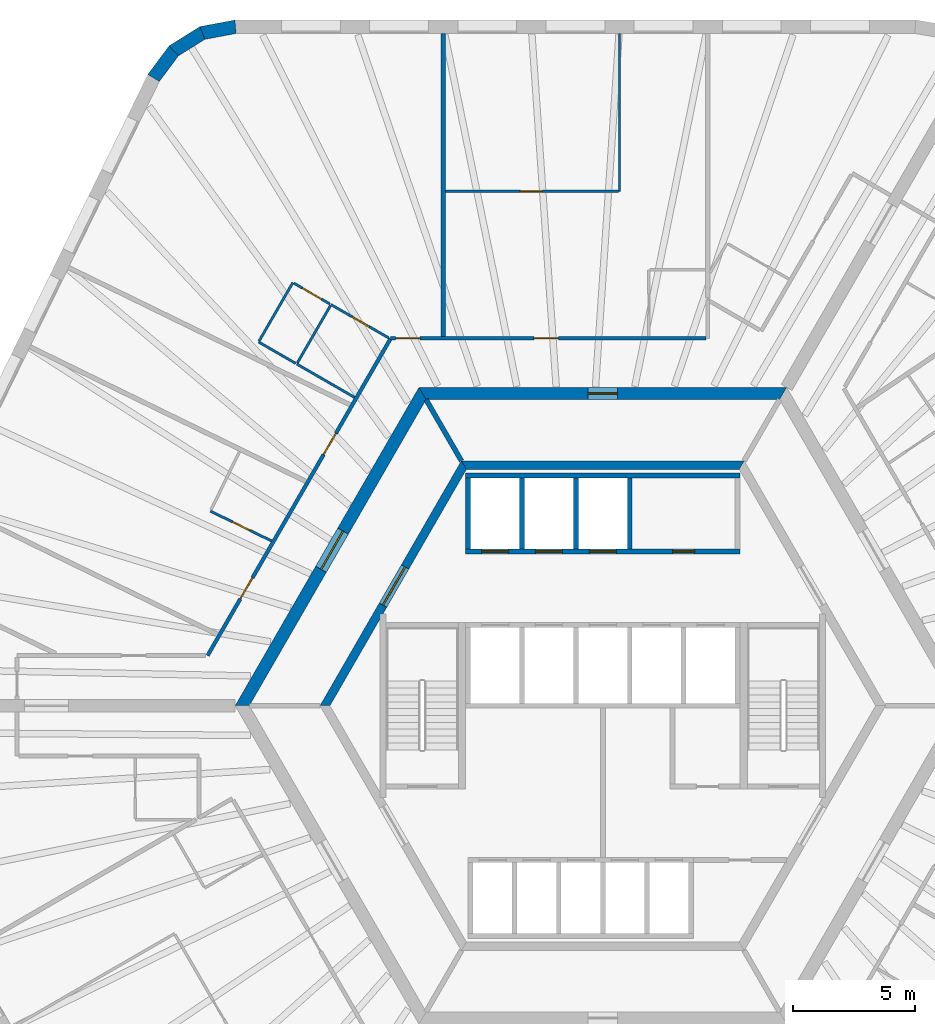
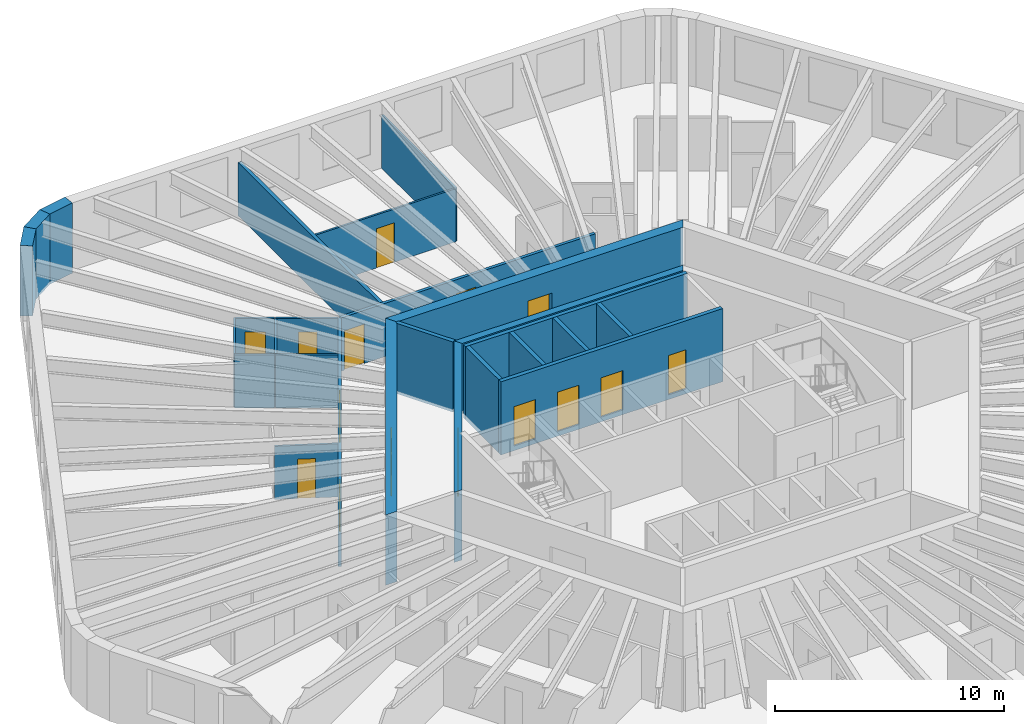
# One storey, part 7 of 10: 26 walls, 15 doors, 15 openings.
"""IFC4 building model written with IfcOpenShell, lengths in metres."""

from ifc_helpers import new_model, si_unit, direction, frame, frame_2d, origin, place, context, subcontext, project, spatial, polyline, rectangle, outline, extrude, material, layer, layer_set, type_object, element, fill, save


model = new_model("IFC4")

# Units and contexts
model_context = context("Model", 3, precision=1e-05, world=origin(), true_north=direction((0.0, 1.0)))
body_context = subcontext(model_context, "Body", "Model", "MODEL_VIEW")
ifc_project = project(units=[si_unit("LENGTHUNIT", "METRE"), si_unit("AREAUNIT", "SQUARE_METRE"), si_unit("VOLUMEUNIT", "CUBIC_METRE"), si_unit("PLANEANGLEUNIT", "RADIAN"), si_unit("MASSUNIT", "GRAM", prefix="KILO")], contexts=[model_context])

# Site, building, storey
site_placement = place(None, origin())
site = spatial("IfcSite", under=ifc_project, at=site_placement, CompositionType="ELEMENT")
building_placement = place(site_placement, origin())
building = spatial("IfcBuilding", under=site, at=building_placement, Name="Tarnside Tower", CompositionType="ELEMENT")
storey_placement = place(building_placement, frame((0.0, 0.0, 246.300048828125)))
storey = spatial("IfcBuildingStorey", under=building, at=storey_placement, Name="L59", CompositionType="ELEMENT", Elevation=246.300048828125)

# Wall
ifc_material_1 = material(Name="Gypsum board partition on steel studs", Category="steel")
ifc_layer_1 = layer(ifc_material_1, 0.10009765625)
ifc_layer_set_1 = layer_set([ifc_layer_1], Name="Bathroom wall 100")
wall_type_1 = type_object("IfcWallType", Name="Bathroom wall 100", PredefinedType="PARTITIONING", material=ifc_layer_set_1)
wall_1_placement = place(storey_placement, frame((-10.137939453125, 12.5908203125, 0.0), z_axis=(0.0, 0.0, 1.0), x_axis=(-0.866051307416, 0.49995513091, 0.0)))
element("IfcWall", 1, at=wall_1_placement, inside=storey, type_object=wall_type_1, Name="Bathroom wall 19062", PredefinedType="PARTITIONING", context=body_context, shape_type="SweptSolid", body=[
    extrude(rectangle(XDim=2.724853515625, YDim=0.10009765625, at=frame_2d((1.3623046875, 0.0))), origin(), (0.0, 0.0, 1.0), 2.837646484375),
])

# Wall, opening, door
wall_2_placement = place(storey_placement, frame((-11.09765625, 16.378173828125, 0.0), z_axis=(0.0, 0.0, 1.0), x_axis=(0.866012511928, -0.500022328685, 0.0)))
wall_2 = element("IfcWall", 2, at=wall_2_placement, inside=storey, type_object=wall_type_1, Name="Bathroom wall 19063", PredefinedType="PARTITIONING", context=body_context, shape_type="SweptSolid", body=[
    extrude(rectangle(XDim=2.72509765625, YDim=0.10009765625, at=frame_2d((1.362548828125, 0.0))), origin(), (0.0, 0.0, 1.0), 2.837646484375),
])
opening_1_placement = place(wall_2_placement, frame((1.0, 0.0, 0.0)))
opening_1 = element("IfcOpeningElement", 3, at=opening_1_placement, cuts=wall_2, Name="Opening D-B1", PredefinedType="OPENING", context=body_context, shape_type="SweptSolid", body=[
    extrude(rectangle(XDim=0.800048828125, YDim=2.10009765625, at=frame_2d((0.39990234375, 1.050048828125))), frame((0.0, 0.06005859375, 0.0), z_axis=(0.0, -1.0, 0.0), x_axis=(1.0, 0.0, 0.0)), (0.0, 0.0, 1.0), 0.1201171875),
])
ifc_material_2 = material(Name="Timber door leaf", Category="wood")
door_type_1 = type_object("IfcDoorType", Name="Bathroom door 800", OperationType="NOTDEFINED", PredefinedType="DOOR", material=ifc_material_2)
door_1_placement = place(opening_1_placement, origin())
door_1 = element("IfcDoor", 4, at=door_1_placement, inside=storey, type_object=door_type_1, Name="Bathroom door 19007", OperationType="SINGLE_SWING_LEFT", OverallHeight=2.10009765625, OverallWidth=0.800048828125, PredefinedType="DOOR", context=body_context, shape_type="SweptSolid", body=[
    extrude(rectangle(XDim=0.800048828125, YDim=2.10009765625, at=frame_2d((0.39990234375, 1.050048828125))), frame((0.0, 0.02490234375, 0.0), z_axis=(0.0, -1.0, 0.0), x_axis=(1.0, 0.0, 0.0)), (0.0, 0.0, 1.0), 0.050048828125),
])
fill(opening_1, door_1)

# Wall
wall_3_placement = place(storey_placement, frame((-11.122802734375, 16.334716796875, 0.0), z_axis=(0.0, 0.0, 1.0), x_axis=(-0.499980770555, -0.866036505625, 0.0)))
element("IfcWall", 5, at=wall_3_placement, inside=storey, type_object=wall_type_1, Name="Bathroom wall 19068", PredefinedType="PARTITIONING", context=body_context, shape_type="SweptSolid", body=[
    extrude(rectangle(XDim=2.69970703125, YDim=0.10009765625, at=frame_2d((1.349853515625, 0.0))), origin(), (0.0, 0.0, 1.0), 2.837646484375),
])

# Wall, opening, door
wall_4_placement = place(storey_placement, frame((-13.523193359375, 6.72705078125, 0.0), z_axis=(0.0, 0.0, 1.0), x_axis=(-0.89880809785, 0.438342335668, 0.0)))
wall_4 = element("IfcWall", 6, at=wall_4_placement, inside=storey, type_object=wall_type_1, Name="Bathroom wall 19071", PredefinedType="PARTITIONING", context=body_context, shape_type="SweptSolid", body=[
    extrude(rectangle(XDim=2.781005859375, YDim=0.10009765625, at=frame_2d((1.390625, 0.0))), origin(), (0.0, 0.0, 1.0), 2.837646484375),
])
opening_2_placement = place(wall_4_placement, frame((0.980712890625, 0.0, 0.0)))
opening_2 = element("IfcOpeningElement", 7, at=opening_2_placement, cuts=wall_4, Name="Opening D-B1", PredefinedType="OPENING", context=body_context, shape_type="SweptSolid", body=[
    extrude(rectangle(XDim=0.800048828125, YDim=2.10009765625, at=frame_2d((0.39990234375, 1.050048828125))), frame((0.0, 0.06005859375, 0.0), z_axis=(0.0, -1.0, 0.0), x_axis=(1.0, 0.0, 0.0)), (0.0, 0.0, 1.0), 0.1201171875),
])
door_2_placement = place(opening_2_placement, origin())
door_2 = element("IfcDoor", 8, at=door_2_placement, inside=storey, type_object=door_type_1, Name="Bathroom door 19011", OperationType="SINGLE_SWING_RIGHT", OverallHeight=2.10009765625, OverallWidth=0.800048828125, PredefinedType="DOOR", context=body_context, shape_type="SweptSolid", body=[
    extrude(rectangle(XDim=0.800048828125, YDim=2.10009765625, at=frame_2d((0.39990234375, 1.050048828125))), frame((0.0, 0.02490234375, 0.0), z_axis=(0.0, -1.0, 0.0), x_axis=(1.0, 0.0, 0.0)), (0.0, 0.0, 1.0), 0.050048828125),
])
fill(opening_2, door_2)

ifc_material_3 = material(Name="Concrete C50/60", Category="concrete")
ifc_layer_2 = layer(ifc_material_3, 0.35009765625)
ifc_layer_set_2 = layer_set([ifc_layer_2], Name="Core block wall 350 C50/60")
wall_type_2 = type_object("IfcWallType", Name="Core block wall 350 C50/60", PredefinedType="SHEAR", material=ifc_layer_set_2)
wall_5_placement = place(storey_placement, frame((-5.672607421875, 9.824951171875, -0.150146484375), z_axis=(0.0, 0.0, 1.0), x_axis=(-0.499995046907, -0.866028263435, 0.0)))
wall_5 = element("IfcWall", 9, at=wall_5_placement, inside=storey, type_object=wall_type_2, Name="L59 core block wall face 2", PredefinedType="SHEAR", context=body_context, shape_type="SweptSolid", body=[
    extrude(outline(polyline([(-0.10107421875, -0.175048828125), (11.44580078125, -0.175048828125), (11.24365234375, 0.175048828125), (0.10107421875, 0.175048828125), (-0.10107421875, -0.175048828125)])), origin(), (0.0, 0.0, 1.0), 3.75),
])
opening_3_placement = place(wall_5_placement, frame((4.80126953125, 0.0, 0.14990234375)))
opening_3 = element("IfcOpeningElement", 10, at=opening_3_placement, cuts=wall_5, Name="Opening CD-LOB", PredefinedType="OPENING", context=body_context, shape_type="SweptSolid", body=[
    extrude(rectangle(XDim=1.800048828125, YDim=2.39990234375, at=frame_2d((0.89990234375, 1.199951171875))), frame((0.0, 0.18505859375, 0.0), z_axis=(0.0, -1.0, 0.0), x_axis=(1.0, 0.0, 0.0)), (0.0, 0.0, 1.0), 0.3701171875),
])
ifc_material_4 = material(Name="Steel fire door", Category="steel")
door_type_2 = type_object("IfcDoorType", Name="Lobby double door FD30S 1800x2400", OperationType="NOTDEFINED", PredefinedType="DOOR", material=ifc_material_4)
door_3_placement = place(opening_3_placement, origin())
door_3 = element("IfcDoor", 11, at=door_3_placement, inside=storey, type_object=door_type_2, Name="L59 lobby block door P1", OperationType="DOUBLE_DOOR_SINGLE_SWING", OverallHeight=2.39990234375, OverallWidth=1.800048828125, PredefinedType="DOOR", context=body_context, shape_type="SweptSolid", body=[
    extrude(rectangle(XDim=1.800048828125, YDim=2.39990234375, at=frame_2d((0.89990234375, 1.199951171875))), frame((0.0, 0.02490234375, 0.0), z_axis=(0.0, -1.0, 0.0), x_axis=(1.0, 0.0, 0.0)), (0.0, 0.0, 1.0), 0.050048828125),
])
fill(opening_3, door_3)

# Wall
wall_6_placement = place(storey_placement, frame((5.672607421875, 9.824951171875, -0.150146484375), z_axis=(0.0, 0.0, 1.0), x_axis=(-1.0, 0.0, 0.0)))
element("IfcWall", 12, at=wall_6_placement, inside=storey, type_object=wall_type_2, Name="L59 core block wall face 1", PredefinedType="SHEAR", context=body_context, shape_type="SweptSolid", body=[
    extrude(outline(polyline([(-0.10107421875, -0.175048828125), (11.4462890625, -0.175048828125), (11.244140625, 0.175048828125), (0.10107421875, 0.175048828125), (-0.10107421875, -0.175048828125)])), origin(), (0.0, 0.0, 1.0), 3.75),
])

# Wall, opening, door
ifc_material_5 = material(Name="Concrete C70/85", Category="concrete")
ifc_layer_3 = layer(ifc_material_5, 0.5)
ifc_layer_set_3 = layer_set([ifc_layer_3], Name="Core wall Z2 500 C70/85")
wall_type_3 = type_object("IfcWallType", Name="Core wall Z2 500 C70/85", PredefinedType="SHEAR", material=ifc_layer_set_3)
wall_7_placement = place(storey_placement, frame((-7.361083984375, 12.75, -0.150146484375), z_axis=(0.0, 0.0, 1.0), x_axis=(-0.50000571537, -0.866022103989, 0.0)))
wall_7 = element("IfcWall", 13, at=wall_7_placement, inside=storey, type_object=wall_type_3, Name="L59 core wall face 2", PredefinedType="SHEAR", context=body_context, shape_type="SweptSolid", body=[
    extrude(outline(polyline([(-0.144287109375, -0.25), (14.86669921875, -0.25), (14.578125, 0.25), (0.144287109375, 0.25), (-0.144287109375, -0.25)])), origin(), (0.0, 0.0, 1.0), 3.75),
])
opening_4_placement = place(wall_7_placement, frame((6.489990234375, 0.0, 0.14990234375)))
opening_4 = element("IfcOpeningElement", 14, at=opening_4_placement, cuts=wall_7, Name="Opening CD-LOB", PredefinedType="OPENING", context=body_context, shape_type="SweptSolid", body=[
    extrude(rectangle(XDim=1.800048828125, YDim=2.39990234375, at=frame_2d((0.89990234375, 1.199951171875))), frame((0.0, 0.260009765625, 0.0), z_axis=(0.0, -1.0, 0.0), x_axis=(1.0, 0.0, 0.0)), (0.0, 0.0, 1.0), 0.52001953125),
])
door_4_placement = place(opening_4_placement, origin())
door_4 = element("IfcDoor", 15, at=door_4_placement, inside=storey, type_object=door_type_2, Name="L59 core door P1", OperationType="DOUBLE_DOOR_SINGLE_SWING", OverallHeight=2.39990234375, OverallWidth=1.800048828125, PredefinedType="DOOR", context=body_context, shape_type="SweptSolid", body=[
    extrude(rectangle(XDim=1.800048828125, YDim=2.39990234375, at=frame_2d((0.89990234375, 1.199951171875))), frame((0.0, 0.02490234375, 0.0), z_axis=(0.0, -1.0, 0.0), x_axis=(1.0, 0.0, 0.0)), (0.0, 0.0, 1.0), 0.050048828125),
])
fill(opening_4, door_4)

wall_8_placement = place(storey_placement, frame((7.361083984375, 12.75, -0.150146484375), z_axis=(0.0, 0.0, 1.0), x_axis=(-1.0, 0.0, 0.0)))
wall_8 = element("IfcWall", 16, at=wall_8_placement, inside=storey, type_object=wall_type_3, Name="L59 core wall face 1", PredefinedType="SHEAR", context=body_context, shape_type="SweptSolid", body=[
    extrude(outline(polyline([(-0.144287109375, -0.25), (14.866455078125, -0.25), (14.577880859375, 0.25), (0.144287109375, 0.25), (-0.144287109375, -0.25)])), origin(), (0.0, 0.0, 1.0), 3.75),
])
opening_5_placement = place(wall_8_placement, frame((6.76123046875, 0.0, 0.14990234375)))
opening_5 = element("IfcOpeningElement", 17, at=opening_5_placement, cuts=wall_8, Name="Opening CD-RSR", PredefinedType="OPENING", context=body_context, shape_type="SweptSolid", body=[
    extrude(rectangle(XDim=1.199951171875, YDim=2.39990234375, at=frame_2d((0.60009765625, 1.199951171875))), frame((0.0, 0.260009765625, 0.0), z_axis=(0.0, -1.0, 0.0), x_axis=(1.0, 0.0, 0.0)), (0.0, 0.0, 1.0), 0.52001953125),
])
door_type_3 = type_object("IfcDoorType", Name="Riser door FD60 1200x2400", OperationType="NOTDEFINED", PredefinedType="DOOR", material=ifc_material_4)
door_5_placement = place(opening_5_placement, origin())
door_5 = element("IfcDoor", 18, at=door_5_placement, inside=storey, type_object=door_type_3, Name="L59 core door S5", OperationType="SINGLE_SWING_LEFT", OverallHeight=2.39990234375, OverallWidth=1.199951171875, PredefinedType="DOOR", context=body_context, shape_type="SweptSolid", body=[
    extrude(rectangle(XDim=1.199951171875, YDim=2.39990234375, at=frame_2d((0.60009765625, 1.199951171875))), frame((0.0, 0.02490234375, 0.0), z_axis=(0.0, -1.0, 0.0), x_axis=(1.0, 0.0, 0.0)), (0.0, 0.0, 1.0), 0.050048828125),
])
fill(opening_5, door_5)

# Wall, openings, doors
ifc_layer_4 = layer(ifc_material_1, 0.14990234375)
ifc_layer_set_4 = layer_set([ifc_layer_4], Name="Corridor wall 150 EI 60")
wall_type_4 = type_object("IfcWallType", Name="Corridor wall 150 EI 60", PredefinedType="PARTITIONING", material=ifc_layer_set_4)
wall_9_placement = place(storey_placement, frame((4.20703125, 15.0, 0.0), z_axis=(0.0, 0.0, 1.0), x_axis=(-1.0, 0.0, 0.0)))
wall_9 = element("IfcWall", 19, at=wall_9_placement, inside=storey, type_object=wall_type_4, Name="Corridor wall 19005", PredefinedType="PARTITIONING", context=body_context, shape_type="SweptSolid", body=[
    extrude(rectangle(XDim=12.8671875, YDim=0.14990234375, at=frame_2d((6.43359375, 0.0))), origin(), (0.0, 0.0, 1.0), 2.837646484375),
])
opening_6_placement = place(wall_9_placement, frame((6.02490234375, 0.0, 0.0)))
opening_6 = element("IfcOpeningElement", 20, at=opening_6_placement, cuts=wall_9, Name="Opening D-E1", PredefinedType="OPENING", context=body_context, shape_type="SweptSolid", body=[
    extrude(rectangle(XDim=1.0, YDim=2.10009765625, at=frame_2d((0.5, 1.050048828125))), frame((0.0, 0.0849609375, 0.0), z_axis=(0.0, -1.0, 0.0), x_axis=(1.0, 0.0, 0.0)), (0.0, 0.0, 1.0), 0.169921875),
])
opening_7_placement = place(wall_9_placement, frame((11.66748046875, 0.0, 0.0)))
opening_7 = element("IfcOpeningElement", 21, at=opening_7_placement, cuts=wall_9, Name="Opening D-E1", PredefinedType="OPENING", context=body_context, shape_type="SweptSolid", body=[
    extrude(rectangle(XDim=1.0, YDim=2.10009765625, at=frame_2d((0.5, 1.050048828125))), frame((0.0, 0.0849609375, 0.0), z_axis=(0.0, -1.0, 0.0), x_axis=(1.0, 0.0, 0.0)), (0.0, 0.0, 1.0), 0.169921875),
])
door_type_4 = type_object("IfcDoorType", Name="Unit entrance door 1000 FD30S", OperationType="NOTDEFINED", PredefinedType="DOOR", material=ifc_material_2)
door_6_placement = place(opening_6_placement, origin())
door_6 = element("IfcDoor", 22, at=door_6_placement, inside=storey, type_object=door_type_4, Name="Unit door 19003", OperationType="SINGLE_SWING_RIGHT", OverallHeight=2.10009765625, OverallWidth=1.0, PredefinedType="DOOR", context=body_context, shape_type="SweptSolid", body=[
    extrude(rectangle(XDim=1.0, YDim=2.10009765625, at=frame_2d((0.5, 1.050048828125))), frame((0.0, 0.02490234375, 0.0), z_axis=(0.0, -1.0, 0.0), x_axis=(1.0, 0.0, 0.0)), (0.0, 0.0, 1.0), 0.050048828125),
])
fill(opening_6, door_6)
door_7_placement = place(opening_7_placement, origin())
door_7 = element("IfcDoor", 23, at=door_7_placement, inside=storey, type_object=door_type_4, Name="Unit door 19006", OperationType="SINGLE_SWING_LEFT", OverallHeight=2.10009765625, OverallWidth=1.0, PredefinedType="DOOR", context=body_context, shape_type="SweptSolid", body=[
    extrude(rectangle(XDim=1.0, YDim=2.10009765625, at=frame_2d((0.5, 1.050048828125))), frame((0.0, 0.02490234375, 0.0), z_axis=(0.0, -1.0, 0.0), x_axis=(1.0, 0.0, 0.0)), (0.0, 0.0, 1.0), 0.050048828125),
])
fill(opening_7, door_7)

wall_10_placement = place(storey_placement, frame((-8.6728515625, 14.97802734375, 0.0), z_axis=(0.0, 0.0, 1.0), x_axis=(-0.50000700621, -0.86602135871, 0.0)))
wall_10 = element("IfcWall", 24, at=wall_10_placement, inside=storey, type_object=wall_type_4, Name="Corridor wall 19008", PredefinedType="PARTITIONING", context=body_context, shape_type="SweptSolid", body=[
    extrude(rectangle(XDim=14.927978515625, YDim=0.14990234375, at=frame_2d((7.4638671875, 0.0))), origin(), (0.0, 0.0, 1.0), 2.837646484375),
])
opening_8_placement = place(wall_10_placement, frame((4.454345703125, 0.0, 0.0)))
opening_8 = element("IfcOpeningElement", 25, at=opening_8_placement, cuts=wall_10, Name="Opening D-E1", PredefinedType="OPENING", context=body_context, shape_type="SweptSolid", body=[
    extrude(rectangle(XDim=1.0, YDim=2.10009765625, at=frame_2d((0.5, 1.050048828125))), frame((0.0, 0.0849609375, 0.0), z_axis=(0.0, -1.0, 0.0), x_axis=(1.0, 0.0, 0.0)), (0.0, 0.0, 1.0), 0.169921875),
])
opening_9_placement = place(wall_10_placement, frame((11.26416015625, 0.0, 0.0)))
opening_9 = element("IfcOpeningElement", 26, at=opening_9_placement, cuts=wall_10, Name="Opening D-E1", PredefinedType="OPENING", context=body_context, shape_type="SweptSolid", body=[
    extrude(rectangle(XDim=1.0, YDim=2.10009765625, at=frame_2d((0.5, 1.050048828125))), frame((0.0, 0.0849609375, 0.0), z_axis=(0.0, -1.0, 0.0), x_axis=(1.0, 0.0, 0.0)), (0.0, 0.0, 1.0), 0.169921875),
])
door_8_placement = place(opening_8_placement, origin())
door_8 = element("IfcDoor", 27, at=door_8_placement, inside=storey, type_object=door_type_4, Name="Unit door 19009", OperationType="SINGLE_SWING_LEFT", OverallHeight=2.10009765625, OverallWidth=1.0, PredefinedType="DOOR", context=body_context, shape_type="SweptSolid", body=[
    extrude(rectangle(XDim=1.0, YDim=2.10009765625, at=frame_2d((0.5, 1.050048828125))), frame((0.0, 0.02490234375, 0.0), z_axis=(0.0, -1.0, 0.0), x_axis=(1.0, 0.0, 0.0)), (0.0, 0.0, 1.0), 0.050048828125),
])
fill(opening_8, door_8)
door_9_placement = place(opening_9_placement, origin())
door_9 = element("IfcDoor", 28, at=door_9_placement, inside=storey, type_object=door_type_4, Name="Unit door 19010", OperationType="SINGLE_SWING_LEFT", OverallHeight=2.10009765625, OverallWidth=1.0, PredefinedType="DOOR", context=body_context, shape_type="SweptSolid", body=[
    extrude(rectangle(XDim=1.0, YDim=2.10009765625, at=frame_2d((0.5, 1.050048828125))), frame((0.0, 0.02490234375, 0.0), z_axis=(0.0, -1.0, 0.0), x_axis=(1.0, 0.0, 0.0)), (0.0, 0.0, 1.0), 0.050048828125),
])
fill(opening_9, door_9)

# Wall
ifc_layer_5 = layer(ifc_material_1, 0.179931640625)
ifc_layer_set_5 = layer_set([ifc_layer_5], Name="Demising wall 180 EI 60")
wall_type_5 = type_object("IfcWallType", Name="Demising wall 180 EI 60", PredefinedType="PARTITIONING", material=ifc_layer_set_5)
wall_11_placement = place(storey_placement, frame((-6.517822265625, 27.449951171875, 0.0), z_axis=(0.0, 0.0, 1.0), x_axis=(0.0, -1.0, 0.0)))
element("IfcWall", 29, at=wall_11_placement, inside=storey, type_object=wall_type_5, Name="Demising wall 19060", PredefinedType="PARTITIONING", context=body_context, shape_type="SweptSolid", body=[
    extrude(rectangle(XDim=12.375, YDim=0.179931640625, at=frame_2d((6.1875, 0.0))), origin(), (0.0, 0.0, 1.0), 2.837646484375),
])

# Wall, openings, doors
ifc_material_6 = material(Name="Concrete C40/50", Category="concrete")
ifc_layer_6 = layer(ifc_material_6, 0.199951171875)
ifc_layer_set_6 = layer_set([ifc_layer_6], Name="Lift shaft wall 200 C40/50")
wall_type_6 = type_object("IfcWallType", Name="Lift shaft wall 200 C40/50", PredefinedType="SHEAR", material=ifc_layer_set_6)
wall_12_placement = place(storey_placement, frame((-5.60009765625, 6.300048828125, -0.25), z_axis=(0.0, 0.0, 1.0), x_axis=(1.0, 0.0, 0.0)))
wall_12 = element("IfcWall", 30, at=wall_12_placement, inside=storey, type_object=wall_type_6, Name="L59 lift shaft front wall R1", PredefinedType="SHEAR", context=body_context, shape_type="SweptSolid", body=[
    extrude(rectangle(XDim=11.2001953125, YDim=0.199951171875, at=frame_2d((5.60009765625, 0.0))), origin(), (0.0, 0.0, 1.0), 3.89990234375),
])
opening_10_placement = place(wall_12_placement, frame((8.449951171875, 0.0, 0.25)))
opening_10 = element("IfcOpeningElement", 31, at=opening_10_placement, cuts=wall_12, Name="Opening CD-room", PredefinedType="OPENING", context=body_context, shape_type="SweptSolid", body=[
    extrude(rectangle(XDim=0.89990234375, YDim=2.10009765625, at=frame_2d((0.449951171875, 1.050048828125))), frame((0.0, 0.10986328125, 0.0), z_axis=(0.0, -1.0, 0.0), x_axis=(1.0, 0.0, 0.0)), (0.0, 0.0, 1.0), 0.219970703125),
])
opening_11_placement = place(wall_12_placement, frame((0.64990234375, 0.0, 0.25)))
opening_11 = element("IfcOpeningElement", 32, at=opening_11_placement, cuts=wall_12, Name="Opening LD", PredefinedType="OPENING", context=body_context, shape_type="SweptSolid", body=[
    extrude(rectangle(XDim=1.10009765625, YDim=2.10009765625, at=frame_2d((0.550048828125, 1.050048828125))), frame((0.0, 0.10986328125, 0.0), z_axis=(0.0, -1.0, 0.0), x_axis=(1.0, 0.0, 0.0)), (0.0, 0.0, 1.0), 0.219970703125),
])
opening_12_placement = place(wall_12_placement, frame((2.85009765625, 0.0, 0.25)))
opening_12 = element("IfcOpeningElement", 33, at=opening_12_placement, cuts=wall_12, Name="Opening LD", PredefinedType="OPENING", context=body_context, shape_type="SweptSolid", body=[
    extrude(rectangle(XDim=1.10009765625, YDim=2.10009765625, at=frame_2d((0.550048828125, 1.050048828125))), frame((0.0, 0.10986328125, 0.0), z_axis=(0.0, -1.0, 0.0), x_axis=(1.0, 0.0, 0.0)), (0.0, 0.0, 1.0), 0.219970703125),
])
opening_13_placement = place(wall_12_placement, frame((5.050048828125, 0.0, 0.25)))
opening_13 = element("IfcOpeningElement", 34, at=opening_13_placement, cuts=wall_12, Name="Opening LD", PredefinedType="OPENING", context=body_context, shape_type="SweptSolid", body=[
    extrude(rectangle(XDim=1.10009765625, YDim=2.10009765625, at=frame_2d((0.550048828125, 1.050048828125))), frame((0.0, 0.10986328125, 0.0), z_axis=(0.0, -1.0, 0.0), x_axis=(1.0, 0.0, 0.0)), (0.0, 0.0, 1.0), 0.219970703125),
])
ifc_material_7 = material(Name="Stainless steel", Category="steel")
door_type_5 = type_object("IfcDoorType", Name="Lift landing door 1100x2100", OperationType="NOTDEFINED", PredefinedType="DOOR", material=ifc_material_7)
door_10_placement = place(opening_11_placement, origin())
door_10 = element("IfcDoor", 35, at=door_10_placement, inside=storey, type_object=door_type_5, Name="Mid-rise lift 1 landing door L59", OperationType="SLIDING_TO_LEFT", OverallHeight=2.10009765625, OverallWidth=1.10009765625, PredefinedType="DOOR", context=body_context, shape_type="SweptSolid", body=[
    extrude(rectangle(XDim=1.10009765625, YDim=2.10009765625, at=frame_2d((0.550048828125, 1.050048828125))), frame((0.0, 0.02490234375, 0.0), z_axis=(0.0, -1.0, 0.0), x_axis=(1.0, 0.0, 0.0)), (0.0, 0.0, 1.0), 0.050048828125),
])
fill(opening_11, door_10)
door_11_placement = place(opening_12_placement, origin())
door_11 = element("IfcDoor", 36, at=door_11_placement, inside=storey, type_object=door_type_5, Name="Mid-rise lift 2 landing door L59", OperationType="SLIDING_TO_LEFT", OverallHeight=2.10009765625, OverallWidth=1.10009765625, PredefinedType="DOOR", context=body_context, shape_type="SweptSolid", body=[
    extrude(rectangle(XDim=1.10009765625, YDim=2.10009765625, at=frame_2d((0.550048828125, 1.050048828125))), frame((0.0, 0.02490234375, 0.0), z_axis=(0.0, -1.0, 0.0), x_axis=(1.0, 0.0, 0.0)), (0.0, 0.0, 1.0), 0.050048828125),
])
fill(opening_12, door_11)
door_12_placement = place(opening_13_placement, origin())
door_12 = element("IfcDoor", 37, at=door_12_placement, inside=storey, type_object=door_type_5, Name="Mid-rise lift 3 landing door L59", OperationType="SLIDING_TO_LEFT", OverallHeight=2.10009765625, OverallWidth=1.10009765625, PredefinedType="DOOR", context=body_context, shape_type="SweptSolid", body=[
    extrude(rectangle(XDim=1.10009765625, YDim=2.10009765625, at=frame_2d((0.550048828125, 1.050048828125))), frame((0.0, 0.02490234375, 0.0), z_axis=(0.0, -1.0, 0.0), x_axis=(1.0, 0.0, 0.0)), (0.0, 0.0, 1.0), 0.050048828125),
])
fill(opening_13, door_12)
door_type_6 = type_object("IfcDoorType", Name="Room door FD60 900x2100", OperationType="NOTDEFINED", PredefinedType="DOOR", material=ifc_material_4)
door_13_placement = place(opening_10_placement, origin())
door_13 = element("IfcDoor", 38, at=door_13_placement, inside=storey, type_object=door_type_6, Name="L59 core room door FC1", OperationType="SINGLE_SWING_LEFT", OverallHeight=2.10009765625, OverallWidth=0.89990234375, PredefinedType="DOOR", context=body_context, shape_type="SweptSolid", body=[
    extrude(rectangle(XDim=0.89990234375, YDim=2.10009765625, at=frame_2d((0.449951171875, 1.050048828125))), frame((0.0, 0.02490234375, 0.0), z_axis=(0.0, -1.0, 0.0), x_axis=(1.0, 0.0, 0.0)), (0.0, 0.0, 1.0), 0.050048828125),
])
fill(opening_10, door_13)

# Walls
wall_13_placement = place(storey_placement, frame((-5.60009765625, 9.39990234375, -0.25), z_axis=(0.0, 0.0, 1.0), x_axis=(1.0, 0.0, 0.0)))
element("IfcWall", 39, at=wall_13_placement, inside=storey, type_object=wall_type_6, Name="L59 lift shaft back wall R1", PredefinedType="SHEAR", context=body_context, shape_type="SweptSolid", body=[
    extrude(rectangle(XDim=11.2001953125, YDim=0.199951171875, at=frame_2d((5.60009765625, 0.0))), origin(), (0.0, 0.0, 1.0), 3.89990234375),
])
for number, where, z_axis, x_axis, name in (
    (40, (-5.5, 6.39990234375, -0.25), (0.0, 0.0, 1.0), (0.0, 1.0, 0.0), "L59 lift shaft partition R11"),
    (41, (-3.300048828125, 6.39990234375, -0.25), (0.0, 0.0, 1.0), (0.0, 1.0, 0.0), "L59 lift shaft partition R12"),
    (42, (-1.10009765625, 6.39990234375, -0.25), (0.0, 0.0, 1.0), (0.0, 1.0, 0.0), "L59 lift shaft partition R13"),
    (43, (1.10009765625, 6.39990234375, -0.25), (0.0, 0.0, 1.0), (0.0, 1.0, 0.0), "L59 lift shaft partition R14"),
):
    element("IfcWall", number, at=place(storey_placement, frame(where, z_axis=z_axis, x_axis=x_axis)), inside=storey, type_object=wall_type_6, Name=name, PredefinedType="SHEAR", context=body_context, shape_type="SweptSolid", body=[
        extrude(rectangle(XDim=2.900146484375, YDim=0.199951171875, at=frame_2d((1.4501953125, 0.0))), origin(), (0.0, 0.0, 1.0), 3.89990234375),
    ])
wall_14_placement = place(storey_placement, frame((-5.7734375, 10.0, -0.150146484375), z_axis=(0.0, 0.0, 1.0), x_axis=(-0.499995765644, 0.866027848477, 0.0)))
element("IfcWall", 44, at=wall_14_placement, inside=storey, type_object=wall_type_6, Name="L59 core partition AR120", PredefinedType="SHEAR", context=body_context, shape_type="SweptSolid", body=[
    extrude(rectangle(XDim=2.88671875, YDim=0.199951171875, at=frame_2d((1.443359375, 0.0))), origin(), (0.0, 0.0, 1.0), 3.75),
])
ifc_layer_7 = layer(ifc_material_1, 0.10009765625)
ifc_layer_set_7 = layer_set([ifc_layer_7], Name="Partition 100")
wall_type_7 = type_object("IfcWallType", Name="Partition 100", PredefinedType="PARTITIONING", material=ifc_layer_set_7)
wall_15_placement = place(storey_placement, frame((0.68212890625, 27.449951171875, 0.0), z_axis=(0.0, 0.0, 1.0), x_axis=(0.0, -1.0, 0.0)))
element("IfcWall", 45, at=wall_15_placement, inside=storey, type_object=wall_type_7, Name="Partition wall 19058", PredefinedType="PARTITIONING", context=body_context, shape_type="SweptSolid", body=[
    extrude(rectangle(XDim=6.449951171875, YDim=0.10009765625, at=frame_2d((3.22509765625, 0.0))), origin(), (0.0, 0.0, 1.0), 2.837646484375),
])

# Wall, opening, door
wall_16_placement = place(storey_placement, frame((0.632080078125, 21.0, 0.0), z_axis=(0.0, 0.0, 1.0), x_axis=(-1.0, 0.0, 0.0)))
wall_16 = element("IfcWall", 46, at=wall_16_placement, inside=storey, type_object=wall_type_7, Name="Partition wall 19059", PredefinedType="PARTITIONING", context=body_context, shape_type="SweptSolid", body=[
    extrude(rectangle(XDim=7.06005859375, YDim=0.10009765625, at=frame_2d((3.530029296875, 0.0))), origin(), (0.0, 0.0, 1.0), 2.837646484375),
])
opening_14_placement = place(wall_16_placement, frame((3.10009765625, 0.0, 0.0)))
opening_14 = element("IfcOpeningElement", 47, at=opening_14_placement, cuts=wall_16, Name="Opening D-I1", PredefinedType="OPENING", context=body_context, shape_type="SweptSolid", body=[
    extrude(rectangle(XDim=0.89990234375, YDim=2.10009765625, at=frame_2d((0.449951171875, 1.050048828125))), frame((0.0, 0.06005859375, 0.0), z_axis=(0.0, -1.0, 0.0), x_axis=(1.0, 0.0, 0.0)), (0.0, 0.0, 1.0), 0.1201171875),
])
door_type_7 = type_object("IfcDoorType", Name="Internal door 900", OperationType="NOTDEFINED", PredefinedType="DOOR", material=ifc_material_2)
door_14_placement = place(opening_14_placement, origin())
door_14 = element("IfcDoor", 48, at=door_14_placement, inside=storey, type_object=door_type_7, Name="Internal door 19005", OperationType="SINGLE_SWING_LEFT", OverallHeight=2.10009765625, OverallWidth=0.89990234375, PredefinedType="DOOR", context=body_context, shape_type="SweptSolid", body=[
    extrude(rectangle(XDim=0.89990234375, YDim=2.10009765625, at=frame_2d((0.449951171875, 1.050048828125))), frame((0.0, 0.02490234375, 0.0), z_axis=(0.0, -1.0, 0.0), x_axis=(1.0, 0.0, 0.0)), (0.0, 0.0, 1.0), 0.050048828125),
])
fill(opening_14, door_14)

# Walls
wall_17_placement = place(storey_placement, frame((-12.541015625, 13.978271484375, 0.0), z_axis=(0.0, 0.0, 1.0), x_axis=(-0.866036909293, 0.499980071345, 0.0)))
element("IfcWall", 49, at=wall_17_placement, inside=storey, type_object=wall_type_7, Name="Partition wall 19064", PredefinedType="PARTITIONING", context=body_context, shape_type="SweptSolid", body=[
    extrude(rectangle(XDim=1.75, YDim=0.10009765625, at=frame_2d((0.875, 0.0))), origin(), (0.0, 0.0, 1.0), 2.837646484375),
])
wall_18_placement = place(storey_placement, frame((-14.031494140625, 14.896484375, 0.0), z_axis=(0.0, 0.0, 1.0), x_axis=(0.499996545922, 0.866027397988, 0.0)))
element("IfcWall", 50, at=wall_18_placement, inside=storey, type_object=wall_type_7, Name="Partition wall 19065", PredefinedType="PARTITIONING", context=body_context, shape_type="SweptSolid", body=[
    extrude(rectangle(XDim=2.75, YDim=0.10009765625, at=frame_2d((1.375, 0.0))), origin(), (0.0, 0.0, 1.0), 2.837646484375),
])

# Wall, opening, door
wall_19_placement = place(storey_placement, frame((-12.61328125, 17.253173828125, 0.0), z_axis=(0.0, 0.0, 1.0), x_axis=(0.865989465428, -0.500062241894, 0.0)))
wall_19 = element("IfcWall", 51, at=wall_19_placement, inside=storey, type_object=wall_type_7, Name="Partition wall 19066", PredefinedType="PARTITIONING", context=body_context, shape_type="SweptSolid", body=[
    extrude(rectangle(XDim=1.699951171875, YDim=0.10009765625, at=frame_2d((0.85009765625, 0.0))), origin(), (0.0, 0.0, 1.0), 2.837646484375),
])
opening_15_placement = place(wall_19_placement, frame((0.39990234375, 0.0, 0.0)))
opening_15 = element("IfcOpeningElement", 52, at=opening_15_placement, cuts=wall_19, Name="Opening D-I1", PredefinedType="OPENING", context=body_context, shape_type="SweptSolid", body=[
    extrude(rectangle(XDim=0.89990234375, YDim=2.10009765625, at=frame_2d((0.449951171875, 1.050048828125))), frame((0.0, 0.06005859375, 0.0), z_axis=(0.0, -1.0, 0.0), x_axis=(1.0, 0.0, 0.0)), (0.0, 0.0, 1.0), 0.1201171875),
])
door_15_placement = place(opening_15_placement, origin())
door_15 = element("IfcDoor", 53, at=door_15_placement, inside=storey, type_object=door_type_7, Name="Internal door 19008", OperationType="SINGLE_SWING_LEFT", OverallHeight=2.10009765625, OverallWidth=0.89990234375, PredefinedType="DOOR", context=body_context, shape_type="SweptSolid", body=[
    extrude(rectangle(XDim=0.89990234375, YDim=2.10009765625, at=frame_2d((0.449951171875, 1.050048828125))), frame((0.0, 0.02490234375, 0.0), z_axis=(0.0, -1.0, 0.0), x_axis=(1.0, 0.0, 0.0)), (0.0, 0.0, 1.0), 0.050048828125),
])
fill(opening_15, door_15)

# Walls
ifc_material_8 = material(Name="Facing brick", Category="masonry")
ifc_layer_8 = layer(ifc_material_8, 0.10205078125)
ifc_material_9 = material(Name="Concrete C60/75 precast", Category="concrete")
ifc_layer_9 = layer(ifc_material_9, 0.347900390625)
ifc_material_10 = material(Name="Mineral wool insulation")
ifc_layer_10 = layer(ifc_material_10, 0.10009765625)
ifc_layer_set_8 = layer_set([ifc_layer_8, ifc_layer_9, ifc_layer_10], Name="Tube wall 550 brick faced")
wall_type_8 = type_object("IfcWallType", Name="Tube wall 550 brick faced", PredefinedType="SOLIDWALL", material=ifc_layer_set_8)
wall_20_placement = place(storey_placement, frame((-14.996826171875, 27.72509765625, -0.150146484375), z_axis=(0.0, 0.0, 1.0), x_axis=(-0.982705443133, -0.185175624845, 0.0)))
element("IfcWall", 54, at=wall_20_placement, inside=storey, type_object=wall_type_8, Name="Tube wall L59 F1 chord 01", PredefinedType="SOLIDWALL", context=body_context, shape_type="SweptSolid", body=[
    extrude(outline(polyline([(-0.025634765625, -0.27490234375), (1.430908203125, -0.27490234375), (1.327392578125, 0.27490234375), (0.025634765625, 0.27490234375), (-0.025634765625, -0.27490234375)])), origin(), (0.0, 0.0, 1.0), 3.75),
])
wall_21_placement = place(storey_placement, frame((-16.35205078125, 27.4697265625, -0.150146484375), z_axis=(0.0, 0.0, 1.0), x_axis=(-0.848057977594, -0.5299034503, 0.0)))
element("IfcWall", 55, at=wall_21_placement, inside=storey, type_object=wall_type_8, Name="Tube wall L59 F1 chord 02", PredefinedType="SOLIDWALL", context=body_context, shape_type="SweptSolid", body=[
    extrude(outline(polyline([(-0.0517578125, -0.27490234375), (1.4306640625, -0.27490234375), (1.3271484375, 0.27490234375), (0.0517578125, 0.27490234375), (-0.0517578125, -0.27490234375)])), origin(), (0.0, 0.0, 1.0), 3.75),
])
wall_22_placement = place(storey_placement, frame((-17.521484375, 26.739013671875, -0.150146484375), z_axis=(0.0, 0.0, 1.0), x_axis=(-0.597135295884, -0.802140535324, 0.0)))
element("IfcWall", 56, at=wall_22_placement, inside=storey, type_object=wall_type_8, Name="Tube wall L59 F1 chord 03", PredefinedType="SOLIDWALL", context=body_context, shape_type="SweptSolid", body=[
    extrude(outline(polyline([(-0.0517578125, -0.27490234375), (1.40478515625, -0.27490234375), (1.353515625, 0.27490234375), (0.0517578125, 0.27490234375), (-0.0517578125, -0.27490234375)])), origin(), (0.0, 0.0, 1.0), 3.75),
])

save(model, "model.ifc")
